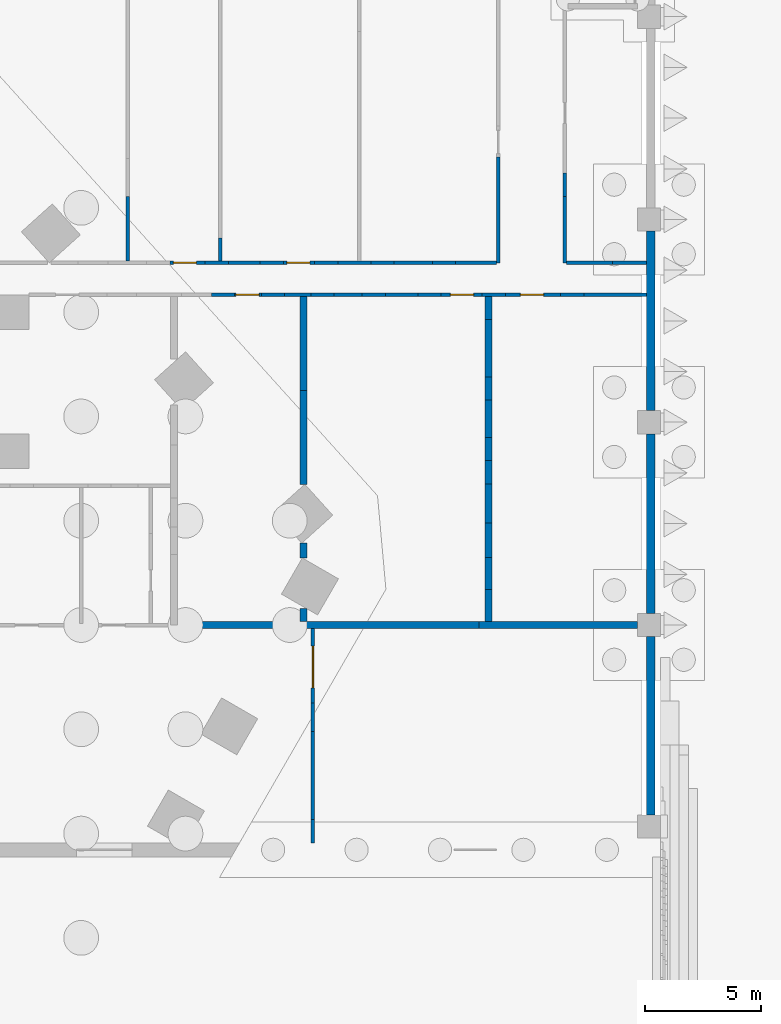
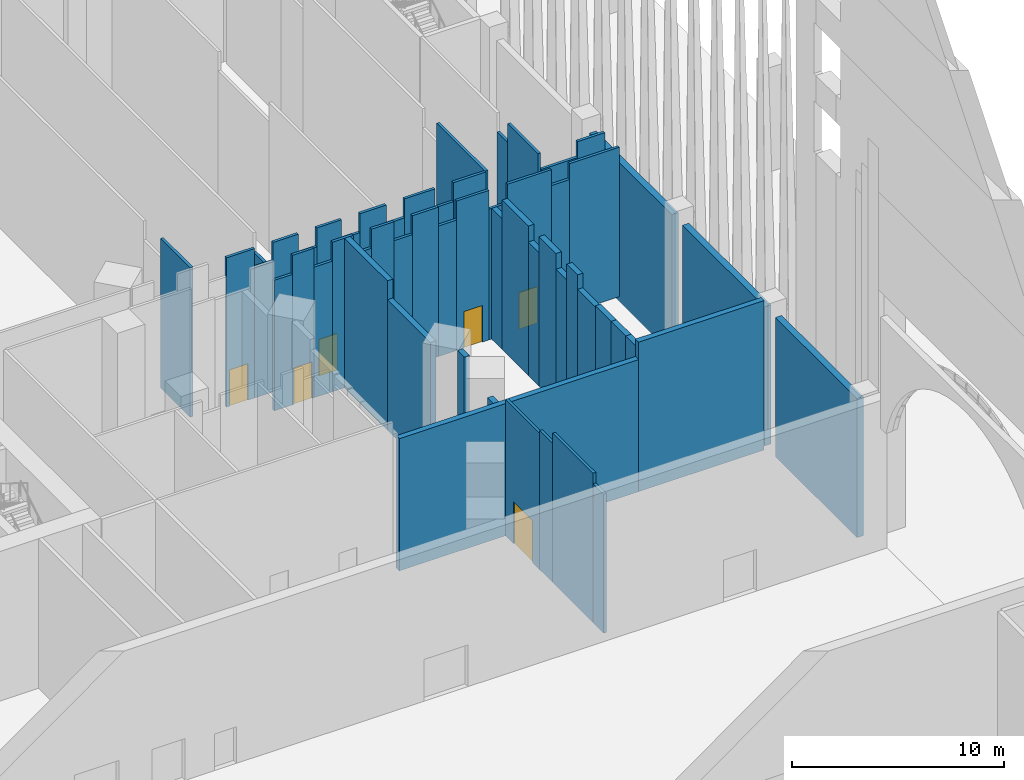
# One storey, part 13 of 32: 55 walls, 6 doors, 6 openings.
"""IFC4 building model written with IfcOpenShell, lengths in metres."""

from ifc_helpers import new_model, si_unit, direction, frame, frame_2d, origin, place, context, subcontext, project, spatial, rectangle, extrude, material, layer, layer_set, type_object, element, fill, save


model = new_model("IFC4")

# Units and contexts
model_context = context("Model", 3, precision=1e-05, world=origin(), true_north=direction((0.0, 1.0)))
body_context = subcontext(model_context, "Body", "Model", "MODEL_VIEW")
ifc_project = project(units=[si_unit("LENGTHUNIT", "METRE"), si_unit("AREAUNIT", "SQUARE_METRE"), si_unit("VOLUMEUNIT", "CUBIC_METRE"), si_unit("PLANEANGLEUNIT", "RADIAN"), si_unit("MASSUNIT", "GRAM", prefix="KILO")], contexts=[model_context])

# Site, building, storey
site_placement = place(None, origin())
site = spatial("IfcSite", under=ifc_project, at=site_placement, CompositionType="ELEMENT")
building_placement = place(site_placement, origin())
building = spatial("IfcBuilding", under=site, at=building_placement, Name="Isthmus Gate Tower", CompositionType="ELEMENT")
storey_placement = place(building_placement, origin())
storey = spatial("IfcBuildingStorey", under=building, at=storey_placement, Name="L00", CompositionType="ELEMENT", Elevation=0.0)

# Walls
ifc_material_1 = material(Name="Double-leaf gypsum board with mineral wool, resilient mounted")
ifc_layer_1 = layer(ifc_material_1, 0.300048828125)
ifc_layer_set_1 = layer_set([ifc_layer_1], Name="Acoustic studio wall 300 double leaf")
wall_type_1 = type_object("IfcWallType", Name="Acoustic studio wall 300 double leaf", PredefinedType="PARTITIONING", material=ifc_layer_set_1)
wall_1_placement = place(storey_placement, frame((31.14990234375, 0.0, 0.0), z_axis=(0.0, 0.0, 1.0), x_axis=(1.0, 0.0, 0.0)))
element("IfcWall", 1, at=wall_1_placement, inside=storey, type_object=wall_type_1, Name="Acoustic studio wall", PredefinedType="PARTITIONING", context=body_context, shape_type="SweptSolid", body=[
    extrude(rectangle(XDim=13.015625, YDim=0.300048828125, at=frame_2d((6.5078125, 0.0))), origin(), (0.0, 0.0, 1.0), 7.60009765625),
])
wall_2_placement = place(storey_placement, frame((44.16552734375, 0.0, 0.0), z_axis=(0.0, 0.0, 1.0), x_axis=(1.0, 0.0, 0.0)))
element("IfcWall", 2, at=wall_2_placement, inside=storey, type_object=wall_type_1, Name="Acoustic studio wall", PredefinedType="PARTITIONING", context=body_context, shape_type="SweptSolid", body=[
    extrude(rectangle(XDim=6.83447265625, YDim=0.300048828125, at=frame_2d((3.417236328125, 0.0))), origin(), (0.0, 0.0, 1.0), 8.60009765625),
])
wall_3_placement = place(storey_placement, frame((36.583984375, 0.14990234375, 0.0), z_axis=(0.0, 0.0, 1.0), x_axis=(0.0, 1.0, 0.0)))
element("IfcWall", 3, at=wall_3_placement, inside=storey, type_object=wall_type_1, Name="Acoustic studio wall", PredefinedType="PARTITIONING", context=body_context, shape_type="SweptSolid", body=[
    extrude(rectangle(XDim=0.5537109375, YDim=0.300048828125, at=frame_2d((0.27685546875, 0.0))), origin(), (0.0, 0.0, 1.0), 7.60009765625),
])
wall_4_placement = place(storey_placement, frame((36.583984375, 2.892578125, 0.0), z_axis=(0.0, 0.0, 1.0), x_axis=(0.0, 1.0, 0.0)))
element("IfcWall", 4, at=wall_4_placement, inside=storey, type_object=wall_type_1, Name="Acoustic studio wall", PredefinedType="PARTITIONING", context=body_context, shape_type="SweptSolid", body=[
    extrude(rectangle(XDim=0.639404296875, YDim=0.300048828125, at=frame_2d((0.31982421875, 0.0))), origin(), (0.0, 0.0, 1.0), 8.60009765625),
])
wall_5_placement = place(storey_placement, frame((36.583984375, 6.073974609375, 0.0), z_axis=(0.0, 0.0, 1.0), x_axis=(0.0, 1.0, 0.0)))
element("IfcWall", 5, at=wall_5_placement, inside=storey, type_object=wall_type_1, Name="Acoustic studio wall", PredefinedType="PARTITIONING", context=body_context, shape_type="SweptSolid", body=[
    extrude(rectangle(XDim=4.055419921875, YDim=0.300048828125, at=frame_2d((2.02783203125, 0.0))), origin(), (0.0, 0.0, 1.0), 7.510986328125),
])
wall_6_placement = place(storey_placement, frame((36.583984375, 10.12939453125, 0.0), z_axis=(0.0, 0.0, 1.0), x_axis=(0.0, 1.0, 0.0)))
element("IfcWall", 6, at=wall_6_placement, inside=storey, type_object=wall_type_1, Name="Acoustic studio wall", PredefinedType="PARTITIONING", context=body_context, shape_type="SweptSolid", body=[
    extrude(rectangle(XDim=4.045654296875, YDim=0.300048828125, at=frame_2d((2.02294921875, 0.0))), origin(), (0.0, 0.0, 1.0), 8.60009765625),
])
wall_7_placement = place(storey_placement, frame((44.583984375, 0.14990234375, 0.0), z_axis=(0.0, 0.0, 1.0), x_axis=(0.0, 1.0, 0.0)))
element("IfcWall", 7, at=wall_7_placement, inside=storey, type_object=wall_type_1, Name="Acoustic studio wall", PredefinedType="PARTITIONING", context=body_context, shape_type="SweptSolid", body=[
    extrude(rectangle(XDim=1.38134765625, YDim=0.300048828125, at=frame_2d((0.690673828125, 0.0))), origin(), (0.0, 0.0, 1.0), 7.84130859375),
])
wall_8_placement = place(storey_placement, frame((44.583984375, 1.53125, 0.0), z_axis=(0.0, 0.0, 1.0), x_axis=(0.0, 1.0, 0.0)))
element("IfcWall", 8, at=wall_8_placement, inside=storey, type_object=wall_type_1, Name="Acoustic studio wall", PredefinedType="PARTITIONING", context=body_context, shape_type="SweptSolid", body=[
    extrude(rectangle(XDim=1.3798828125, YDim=0.300048828125, at=frame_2d((0.68994140625, 0.0))), origin(), (0.0, 0.0, 1.0), 7.84130859375),
])
wall_9_placement = place(storey_placement, frame((44.583984375, 2.9111328125, 0.0), z_axis=(0.0, 0.0, 1.0), x_axis=(0.0, 1.0, 0.0)))
element("IfcWall", 9, at=wall_9_placement, inside=storey, type_object=wall_type_1, Name="Acoustic studio wall", PredefinedType="PARTITIONING", context=body_context, shape_type="SweptSolid", body=[
    extrude(rectangle(XDim=1.483154296875, YDim=0.300048828125, at=frame_2d((0.74169921875, 0.0))), origin(), (0.0, 0.0, 1.0), 7.84130859375),
])
wall_10_placement = place(storey_placement, frame((44.583984375, 4.394287109375, 0.0), z_axis=(0.0, 0.0, 1.0), x_axis=(0.0, 1.0, 0.0)))
element("IfcWall", 10, at=wall_10_placement, inside=storey, type_object=wall_type_1, Name="Acoustic studio wall", PredefinedType="PARTITIONING", context=body_context, shape_type="SweptSolid", body=[
    extrude(rectangle(XDim=1.680419921875, YDim=0.300048828125, at=frame_2d((0.84033203125, 0.0))), origin(), (0.0, 0.0, 1.0), 7.764892578125),
])
wall_11_placement = place(storey_placement, frame((44.583984375, 6.07470703125, 0.0), z_axis=(0.0, 0.0, 1.0), x_axis=(0.0, 1.0, 0.0)))
element("IfcWall", 11, at=wall_11_placement, inside=storey, type_object=wall_type_1, Name="Acoustic studio wall", PredefinedType="PARTITIONING", context=body_context, shape_type="SweptSolid", body=[
    extrude(rectangle(XDim=1.02001953125, YDim=0.300048828125, at=frame_2d((0.510009765625, 0.0))), origin(), (0.0, 0.0, 1.0), 8.60009765625),
])
wall_12_placement = place(storey_placement, frame((44.583984375, 7.0947265625, 0.0), z_axis=(0.0, 0.0, 1.0), x_axis=(0.0, 1.0, 0.0)))
element("IfcWall", 12, at=wall_12_placement, inside=storey, type_object=wall_type_1, Name="Acoustic studio wall", PredefinedType="PARTITIONING", context=body_context, shape_type="SweptSolid", body=[
    extrude(rectangle(XDim=1.0, YDim=0.300048828125, at=frame_2d((0.5, 0.0))), origin(), (0.0, 0.0, 1.0), 7.6982421875),
])
wall_13_placement = place(storey_placement, frame((44.583984375, 8.0947265625, 0.0), z_axis=(0.0, 0.0, 1.0), x_axis=(0.0, 1.0, 0.0)))
element("IfcWall", 13, at=wall_13_placement, inside=storey, type_object=wall_type_1, Name="Acoustic studio wall", PredefinedType="PARTITIONING", context=body_context, shape_type="SweptSolid", body=[
    extrude(rectangle(XDim=1.60986328125, YDim=0.300048828125, at=frame_2d((0.804931640625, 0.0))), origin(), (0.0, 0.0, 1.0), 8.60009765625),
])
wall_14_placement = place(storey_placement, frame((44.583984375, 9.70458984375, 0.0), z_axis=(0.0, 0.0, 1.0), x_axis=(0.0, 1.0, 0.0)))
element("IfcWall", 14, at=wall_14_placement, inside=storey, type_object=wall_type_1, Name="Acoustic studio wall", PredefinedType="PARTITIONING", context=body_context, shape_type="SweptSolid", body=[
    extrude(rectangle(XDim=1.0, YDim=0.300048828125, at=frame_2d((0.5, 0.0))), origin(), (0.0, 0.0, 1.0), 7.685546875),
])
wall_15_placement = place(storey_placement, frame((44.583984375, 10.70458984375, 0.0), z_axis=(0.0, 0.0, 1.0), x_axis=(0.0, 1.0, 0.0)))
element("IfcWall", 15, at=wall_15_placement, inside=storey, type_object=wall_type_1, Name="Acoustic studio wall", PredefinedType="PARTITIONING", context=body_context, shape_type="SweptSolid", body=[
    extrude(rectangle(XDim=2.470458984375, YDim=0.300048828125, at=frame_2d((1.2353515625, 0.0))), origin(), (0.0, 0.0, 1.0), 8.60009765625),
])
wall_16_placement = place(storey_placement, frame((44.583984375, 13.175048828125, 0.0), z_axis=(0.0, 0.0, 1.0), x_axis=(0.0, 1.0, 0.0)))
element("IfcWall", 16, at=wall_16_placement, inside=storey, type_object=wall_type_1, Name="Acoustic studio wall", PredefinedType="PARTITIONING", context=body_context, shape_type="SweptSolid", body=[
    extrude(rectangle(XDim=1.0, YDim=0.300048828125, at=frame_2d((0.5, 0.0))), origin(), (0.0, 0.0, 1.0), 7.510986328125),
])
ifc_material_2 = material(Name="Fire-rated gypsum board on steel studs", Category="steel")
ifc_layer_2 = layer(ifc_material_2, 0.14990234375)
ifc_layer_set_2 = layer_set([ifc_layer_2], Name="Fire-rated partition 150 EI 60")
wall_type_2 = type_object("IfcWallType", Name="Fire-rated partition 150 EI 60", PredefinedType="PARTITIONING", material=ifc_layer_set_2)
wall_17_placement = place(storey_placement, frame((45.0, 15.62939453125, 0.0), z_axis=(0.0, 0.0, 1.0), x_axis=(0.0, 1.0, 0.0)))
element("IfcWall", 17, at=wall_17_placement, inside=storey, type_object=wall_type_2, Name="Fire-rated partition", PredefinedType="PARTITIONING", context=body_context, shape_type="SweptSolid", body=[
    extrude(rectangle(XDim=4.559814453125, YDim=0.14990234375, at=frame_2d((2.27978515625, 0.0))), origin(), (0.0, 0.0, 1.0), 8.60009765625),
])
wall_18_placement = place(storey_placement, frame((47.875, 15.62939453125, 0.0), z_axis=(0.0, 0.0, 1.0), x_axis=(0.0, 1.0, 0.0)))
element("IfcWall", 18, at=wall_18_placement, inside=storey, type_object=wall_type_2, Name="Fire-rated partition", PredefinedType="PARTITIONING", context=body_context, shape_type="SweptSolid", body=[
    extrude(rectangle(XDim=2.85546875, YDim=0.14990234375, at=frame_2d((1.427734375, 0.0))), origin(), (0.0, 0.0, 1.0), 8.60009765625),
])
wall_19_placement = place(storey_placement, frame((47.875, 18.48486328125, 0.0), z_axis=(0.0, 0.0, 1.0), x_axis=(0.0, 1.0, 0.0)))
element("IfcWall", 19, at=wall_19_placement, inside=storey, type_object=wall_type_2, Name="Fire-rated partition", PredefinedType="PARTITIONING", context=body_context, shape_type="SweptSolid", body=[
    extrude(rectangle(XDim=1.01171875, YDim=0.14990234375, at=frame_2d((0.505859375, 0.0))), origin(), (0.0, 0.0, 1.0), 7.510986328125),
])
ifc_material_3 = material(Name="Precast concrete C40/50, limestone-faced", Category="masonry")
ifc_layer_3 = layer(ifc_material_3, 0.35009765625)
ifc_layer_set_3 = layer_set([ifc_layer_3], Name="PODIUM CLADDING WALL 350")
wall_type_3 = type_object("IfcWallType", Name="PODIUM CLADDING WALL 350", PredefinedType="SOLIDWALL", material=ifc_layer_set_3)
wall_20_placement = place(storey_placement, frame((51.574951171875, -8.199951171875, -0.300048828125), z_axis=(0.0, 0.0, 1.0), x_axis=(0.0, 1.0, 0.0)))
element("IfcWall", 20, at=wall_20_placement, inside=storey, type_object=wall_type_3, Name="PODIUM WALL", PredefinedType="SOLIDWALL", context=body_context, shape_type="SweptSolid", body=[
    extrude(rectangle(XDim=7.699951171875, YDim=0.35009765625, at=frame_2d((3.85009765625, 0.0))), origin(), (0.0, 0.0, 1.0), 8.0),
])
for number, where, z_axis, x_axis, name in (
    (21, (51.574951171875, 0.5, -0.300048828125), (0.0, 0.0, 1.0), (0.0, 1.0, 0.0), "PODIUM WALL"),
    (22, (51.574951171875, 9.25, -0.300048828125), (0.0, 0.0, 1.0), (0.0, 1.0, 0.0), "PODIUM WALL"),
):
    element("IfcWall", number, at=place(storey_placement, frame(where, z_axis=z_axis, x_axis=x_axis)), inside=storey, type_object=wall_type_3, Name=name, PredefinedType="SOLIDWALL", context=body_context, shape_type="SweptSolid", body=[
        extrude(rectangle(XDim=7.75, YDim=0.35009765625, at=frame_2d((3.875, 0.0))), origin(), (0.0, 0.0, 1.0), 8.0),
    ])
ifc_material_4 = material(Name="Gypsum board on cold-formed steel studs", Category="steel")
ifc_layer_4 = layer(ifc_material_4, 0.14990234375)
ifc_layer_set_4 = layer_set([ifc_layer_4])
wall_type_4 = type_object("IfcWallType", Name="Partition 150 gypsum board on steel studs", PredefinedType="PARTITIONING", material=ifc_layer_set_4)
wall_21_placement = place(storey_placement, frame((32.614013671875, 14.25, 0.0), z_axis=(0.0, 0.0, 1.0), x_axis=(1.0, 0.0, 0.0)))
element("IfcWall", 23, at=wall_21_placement, inside=storey, type_object=wall_type_4, Name="Partition", PredefinedType="PARTITIONING", context=body_context, shape_type="SweptSolid", body=[
    extrude(rectangle(XDim=1.0, YDim=0.14990234375, at=frame_2d((0.5, 0.0))), origin(), (0.0, 0.0, 1.0), 7.510986328125),
])

# Wall, opening, door
wall_22_placement = place(storey_placement, frame((33.614013671875, 14.25, 0.0), z_axis=(0.0, 0.0, 1.0), x_axis=(1.0, 0.0, 0.0)))
wall_22 = element("IfcWall", 24, at=wall_22_placement, inside=storey, type_object=wall_type_4, Name="Partition", PredefinedType="PARTITIONING", context=body_context, shape_type="SweptSolid", body=[
    extrude(rectangle(XDim=1.16162109375, YDim=0.14990234375, at=frame_2d((0.580810546875, 0.0))), origin(), (0.0, 0.0, 1.0), 8.60009765625),
])
opening_1_placement = place(wall_22_placement, frame((0.06005859375, 0.0, 0.0)))
opening_1 = element("IfcOpeningElement", 25, at=opening_1_placement, cuts=wall_22, Name="Opening DP00-26", PredefinedType="OPENING", context=body_context, shape_type="SweptSolid", body=[
    extrude(rectangle(XDim=1.0, YDim=2.10009765625, at=frame_2d((0.5, 1.050048828125))), frame((0.0, 0.0849609375, 0.0), z_axis=(0.0, -1.0, 0.0), x_axis=(1.0, 0.0, 0.0)), (0.0, 0.0, 1.0), 0.169921875),
])
ifc_material_5 = material(Name="Hollow metal frame with solid-core timber leaf", Category="wood")
door_type_1 = type_object("IfcDoorType", Name="Single swing door 1000 x 2100", OperationType="SINGLE_SWING_LEFT", PredefinedType="DOOR", material=ifc_material_5)
door_1_placement = place(opening_1_placement, origin())
door_1 = element("IfcDoor", 26, at=door_1_placement, inside=storey, type_object=door_type_1, Name="Door DP00-26", OperationType="SINGLE_SWING_LEFT", OverallHeight=2.10009765625, OverallWidth=1.0, PredefinedType="DOOR", context=body_context, shape_type="SweptSolid", body=[
    extrude(rectangle(XDim=1.0, YDim=2.10009765625, at=frame_2d((0.5, 1.050048828125))), frame((0.0, 0.02490234375, 0.0), z_axis=(0.0, -1.0, 0.0), x_axis=(1.0, 0.0, 0.0)), (0.0, 0.0, 1.0), 0.050048828125),
])
fill(opening_1, door_1)

# Walls
wall_23_placement = place(storey_placement, frame((34.775634765625, 14.25, 0.0), z_axis=(0.0, 0.0, 1.0), x_axis=(1.0, 0.0, 0.0)))
element("IfcWall", 27, at=wall_23_placement, inside=storey, type_object=wall_type_4, Name="Partition", PredefinedType="PARTITIONING", context=body_context, shape_type="SweptSolid", body=[
    extrude(rectangle(XDim=1.0, YDim=0.14990234375, at=frame_2d((0.5, 0.0))), origin(), (0.0, 0.0, 1.0), 7.510986328125),
])
wall_24_placement = place(storey_placement, frame((35.775634765625, 14.25, 0.0), z_axis=(0.0, 0.0, 1.0), x_axis=(1.0, 0.0, 0.0)))
element("IfcWall", 28, at=wall_24_placement, inside=storey, type_object=wall_type_4, Name="Partition", PredefinedType="PARTITIONING", context=body_context, shape_type="SweptSolid", body=[
    extrude(rectangle(XDim=1.136474609375, YDim=0.14990234375, at=frame_2d((0.568359375, 0.0))), origin(), (0.0, 0.0, 1.0), 8.60009765625),
])
wall_25_placement = place(storey_placement, frame((36.912109375, 14.25, 0.0), z_axis=(0.0, 0.0, 1.0), x_axis=(1.0, 0.0, 0.0)))
element("IfcWall", 29, at=wall_25_placement, inside=storey, type_object=wall_type_4, Name="Partition", PredefinedType="PARTITIONING", context=body_context, shape_type="SweptSolid", body=[
    extrude(rectangle(XDim=1.0, YDim=0.14990234375, at=frame_2d((0.5, 0.0))), origin(), (0.0, 0.0, 1.0), 7.510986328125),
])
wall_26_placement = place(storey_placement, frame((37.912109375, 14.25, 0.0), z_axis=(0.0, 0.0, 1.0), x_axis=(1.0, 0.0, 0.0)))
element("IfcWall", 30, at=wall_26_placement, inside=storey, type_object=wall_type_4, Name="Partition", PredefinedType="PARTITIONING", context=body_context, shape_type="SweptSolid", body=[
    extrude(rectangle(XDim=1.2138671875, YDim=0.14990234375, at=frame_2d((0.60693359375, 0.0))), origin(), (0.0, 0.0, 1.0), 8.60009765625),
])
wall_27_placement = place(storey_placement, frame((39.1259765625, 14.25, 0.0), z_axis=(0.0, 0.0, 1.0), x_axis=(1.0, 0.0, 0.0)))
element("IfcWall", 31, at=wall_27_placement, inside=storey, type_object=wall_type_4, Name="Partition", PredefinedType="PARTITIONING", context=body_context, shape_type="SweptSolid", body=[
    extrude(rectangle(XDim=1.0, YDim=0.14990234375, at=frame_2d((0.5, 0.0))), origin(), (0.0, 0.0, 1.0), 7.510986328125),
])
wall_28_placement = place(storey_placement, frame((40.1259765625, 14.25, 0.0), z_axis=(0.0, 0.0, 1.0), x_axis=(1.0, 0.0, 0.0)))
element("IfcWall", 32, at=wall_28_placement, inside=storey, type_object=wall_type_4, Name="Partition", PredefinedType="PARTITIONING", context=body_context, shape_type="SweptSolid", body=[
    extrude(rectangle(XDim=1.41015625, YDim=0.14990234375, at=frame_2d((0.705078125, 0.0))), origin(), (0.0, 0.0, 1.0), 8.60009765625),
])
wall_29_placement = place(storey_placement, frame((41.5361328125, 14.25, 0.0), z_axis=(0.0, 0.0, 1.0), x_axis=(1.0, 0.0, 0.0)))
element("IfcWall", 33, at=wall_29_placement, inside=storey, type_object=wall_type_4, Name="Partition", PredefinedType="PARTITIONING", context=body_context, shape_type="SweptSolid", body=[
    extrude(rectangle(XDim=1.0, YDim=0.14990234375, at=frame_2d((0.5, 0.0))), origin(), (0.0, 0.0, 1.0), 7.510986328125),
])

# Wall, opening, door
wall_30_placement = place(storey_placement, frame((42.5361328125, 14.25, 0.0), z_axis=(0.0, 0.0, 1.0), x_axis=(1.0, 0.0, 0.0)))
wall_30 = element("IfcWall", 34, at=wall_30_placement, inside=storey, type_object=wall_type_4, Name="Partition", PredefinedType="PARTITIONING", context=body_context, shape_type="SweptSolid", body=[
    extrude(rectangle(XDim=1.768798828125, YDim=0.14990234375, at=frame_2d((0.88427734375, 0.0))), origin(), (0.0, 0.0, 1.0), 8.60009765625),
])
opening_2_placement = place(wall_30_placement, frame((0.39990234375, 0.0, 0.0)))
opening_2 = element("IfcOpeningElement", 35, at=opening_2_placement, cuts=wall_30, Name="Opening DP00-27", PredefinedType="OPENING", context=body_context, shape_type="SweptSolid", body=[
    extrude(rectangle(XDim=1.0, YDim=2.10009765625, at=frame_2d((0.5, 1.050048828125))), frame((0.0, 0.0849609375, 0.0), z_axis=(0.0, -1.0, 0.0), x_axis=(1.0, 0.0, 0.0)), (0.0, 0.0, 1.0), 0.169921875),
])
door_2_placement = place(opening_2_placement, origin())
door_2 = element("IfcDoor", 36, at=door_2_placement, inside=storey, type_object=door_type_1, Name="Door DP00-27", OperationType="SINGLE_SWING_LEFT", OverallHeight=2.10009765625, OverallWidth=1.0, PredefinedType="DOOR", context=body_context, shape_type="SweptSolid", body=[
    extrude(rectangle(XDim=1.0, YDim=2.10009765625, at=frame_2d((0.5, 1.050048828125))), frame((0.0, 0.02490234375, 0.0), z_axis=(0.0, -1.0, 0.0), x_axis=(1.0, 0.0, 0.0)), (0.0, 0.0, 1.0), 0.050048828125),
])
fill(opening_2, door_2)

# Wall
wall_31_placement = place(storey_placement, frame((44.304931640625, 14.25, 0.0), z_axis=(0.0, 0.0, 1.0), x_axis=(1.0, 0.0, 0.0)))
element("IfcWall", 37, at=wall_31_placement, inside=storey, type_object=wall_type_4, Name="Partition", PredefinedType="PARTITIONING", context=body_context, shape_type="SweptSolid", body=[
    extrude(rectangle(XDim=1.0, YDim=0.14990234375, at=frame_2d((0.5, 0.0))), origin(), (0.0, 0.0, 1.0), 7.510986328125),
])

# Wall, opening, door
wall_32_placement = place(storey_placement, frame((45.304931640625, 14.25, 0.0), z_axis=(0.0, 0.0, 1.0), x_axis=(1.0, 0.0, 0.0)))
wall_32 = element("IfcWall", 38, at=wall_32_placement, inside=storey, type_object=wall_type_4, Name="Partition", PredefinedType="PARTITIONING", context=body_context, shape_type="SweptSolid", body=[
    extrude(rectangle(XDim=2.38427734375, YDim=0.14990234375, at=frame_2d((1.192138671875, 0.0))), origin(), (0.0, 0.0, 1.0), 8.60009765625),
])
opening_3_placement = place(wall_32_placement, frame((0.64990234375, 0.0, 0.0)))
opening_3 = element("IfcOpeningElement", 39, at=opening_3_placement, cuts=wall_32, Name="Opening DP00-28", PredefinedType="OPENING", context=body_context, shape_type="SweptSolid", body=[
    extrude(rectangle(XDim=1.0, YDim=2.10009765625, at=frame_2d((0.5, 1.050048828125))), frame((0.0, 0.0849609375, 0.0), z_axis=(0.0, -1.0, 0.0), x_axis=(1.0, 0.0, 0.0)), (0.0, 0.0, 1.0), 0.169921875),
])
door_3_placement = place(opening_3_placement, origin())
door_3 = element("IfcDoor", 40, at=door_3_placement, inside=storey, type_object=door_type_1, Name="Door DP00-28", OperationType="SINGLE_SWING_LEFT", OverallHeight=2.10009765625, OverallWidth=1.0, PredefinedType="DOOR", context=body_context, shape_type="SweptSolid", body=[
    extrude(rectangle(XDim=1.0, YDim=2.10009765625, at=frame_2d((0.5, 1.050048828125))), frame((0.0, 0.02490234375, 0.0), z_axis=(0.0, -1.0, 0.0), x_axis=(1.0, 0.0, 0.0)), (0.0, 0.0, 1.0), 0.050048828125),
])
fill(opening_3, door_3)

# Walls
wall_33_placement = place(storey_placement, frame((47.689208984375, 14.25, 0.0), z_axis=(0.0, 0.0, 1.0), x_axis=(1.0, 0.0, 0.0)))
element("IfcWall", 41, at=wall_33_placement, inside=storey, type_object=wall_type_4, Name="Partition", PredefinedType="PARTITIONING", context=body_context, shape_type="SweptSolid", body=[
    extrude(rectangle(XDim=1.0, YDim=0.14990234375, at=frame_2d((0.5, 0.0))), origin(), (0.0, 0.0, 1.0), 7.685546875),
])
wall_34_placement = place(storey_placement, frame((48.689208984375, 14.25, 0.0), z_axis=(0.0, 0.0, 1.0), x_axis=(1.0, 0.0, 0.0)))
element("IfcWall", 42, at=wall_34_placement, inside=storey, type_object=wall_type_4, Name="Partition", PredefinedType="PARTITIONING", context=body_context, shape_type="SweptSolid", body=[
    extrude(rectangle(XDim=2.710693359375, YDim=0.14990234375, at=frame_2d((1.35546875, 0.0))), origin(), (0.0, 0.0, 1.0), 8.60009765625),
])

# Wall, opening, door
wall_35_placement = place(storey_placement, frame((30.8232421875, 15.62890625, 0.0), z_axis=(0.0, 0.0, 1.0), x_axis=(1.0, 0.0, 0.0)))
wall_35 = element("IfcWall", 43, at=wall_35_placement, inside=storey, type_object=wall_type_4, Name="Partition", PredefinedType="PARTITIONING", context=body_context, shape_type="SweptSolid", body=[
    extrude(rectangle(XDim=1.523193359375, YDim=0.14990234375, at=frame_2d((0.76171875, 0.0))), origin(), (0.0, 0.0, 1.0), 8.60009765625),
])
opening_4_placement = place(wall_35_placement, frame((0.14990234375, 0.0, 0.0)))
opening_4 = element("IfcOpeningElement", 44, at=opening_4_placement, cuts=wall_35, Name="Opening DP00-35", PredefinedType="OPENING", context=body_context, shape_type="SweptSolid", body=[
    extrude(rectangle(XDim=1.0, YDim=2.10009765625, at=frame_2d((0.5, 1.050048828125))), frame((0.0, 0.0849609375, 0.0), z_axis=(0.0, -1.0, 0.0), x_axis=(1.0, 0.0, 0.0)), (0.0, 0.0, 1.0), 0.169921875),
])
door_4_placement = place(opening_4_placement, origin())
door_4 = element("IfcDoor", 45, at=door_4_placement, inside=storey, type_object=door_type_1, Name="Door DP00-35", OperationType="SINGLE_SWING_LEFT", OverallHeight=2.10009765625, OverallWidth=1.0, PredefinedType="DOOR", context=body_context, shape_type="SweptSolid", body=[
    extrude(rectangle(XDim=1.0, YDim=2.10009765625, at=frame_2d((0.5, 1.050048828125))), frame((0.0, 0.02490234375, 0.0), z_axis=(0.0, -1.0, 0.0), x_axis=(1.0, 0.0, 0.0)), (0.0, 0.0, 1.0), 0.050048828125),
])
fill(opening_4, door_4)

# Walls
wall_36_placement = place(storey_placement, frame((32.346435546875, 15.62890625, 0.0), z_axis=(0.0, 0.0, 1.0), x_axis=(1.0, 0.0, 0.0)))
element("IfcWall", 46, at=wall_36_placement, inside=storey, type_object=wall_type_4, Name="Partition", PredefinedType="PARTITIONING", context=body_context, shape_type="SweptSolid", body=[
    extrude(rectangle(XDim=1.0, YDim=0.14990234375, at=frame_2d((0.5, 0.0))), origin(), (0.0, 0.0, 1.0), 7.510986328125),
])
wall_37_placement = place(storey_placement, frame((33.346435546875, 15.62890625, 0.0), z_axis=(0.0, 0.0, 1.0), x_axis=(1.0, 0.0, 0.0)))
element("IfcWall", 47, at=wall_37_placement, inside=storey, type_object=wall_type_4, Name="Partition", PredefinedType="PARTITIONING", context=body_context, shape_type="SweptSolid", body=[
    extrude(rectangle(XDim=1.37646484375, YDim=0.14990234375, at=frame_2d((0.688232421875, 0.0))), origin(), (0.0, 0.0, 1.0), 8.60009765625),
])
wall_38_placement = place(storey_placement, frame((34.722900390625, 15.62890625, 0.0), z_axis=(0.0, 0.0, 1.0), x_axis=(1.0, 0.0, 0.0)))
element("IfcWall", 48, at=wall_38_placement, inside=storey, type_object=wall_type_4, Name="Partition", PredefinedType="PARTITIONING", context=body_context, shape_type="SweptSolid", body=[
    extrude(rectangle(XDim=1.0, YDim=0.14990234375, at=frame_2d((0.5, 0.0))), origin(), (0.0, 0.0, 1.0), 7.510986328125),
])

# Wall, opening, door
wall_39_placement = place(storey_placement, frame((35.722900390625, 15.62890625, 0.0), z_axis=(0.0, 0.0, 1.0), x_axis=(1.0, 0.0, 0.0)))
wall_39 = element("IfcWall", 49, at=wall_39_placement, inside=storey, type_object=wall_type_4, Name="Partition", PredefinedType="PARTITIONING", context=body_context, shape_type="SweptSolid", body=[
    extrude(rectangle(XDim=1.348388671875, YDim=0.14990234375, at=frame_2d((0.67431640625, 0.0))), origin(), (0.0, 0.0, 1.0), 8.60009765625),
])
opening_5_placement = place(wall_39_placement, frame((0.14990234375, 0.0, 0.0)))
opening_5 = element("IfcOpeningElement", 50, at=opening_5_placement, cuts=wall_39, Name="Opening DP00-36", PredefinedType="OPENING", context=body_context, shape_type="SweptSolid", body=[
    extrude(rectangle(XDim=1.0, YDim=2.10009765625, at=frame_2d((0.5, 1.050048828125))), frame((0.0, 0.0849609375, 0.0), z_axis=(0.0, -1.0, 0.0), x_axis=(1.0, 0.0, 0.0)), (0.0, 0.0, 1.0), 0.169921875),
])
door_5_placement = place(opening_5_placement, origin())
door_5 = element("IfcDoor", 51, at=door_5_placement, inside=storey, type_object=door_type_1, Name="Door DP00-36", OperationType="SINGLE_SWING_LEFT", OverallHeight=2.10009765625, OverallWidth=1.0, PredefinedType="DOOR", context=body_context, shape_type="SweptSolid", body=[
    extrude(rectangle(XDim=1.0, YDim=2.10009765625, at=frame_2d((0.5, 1.050048828125))), frame((0.0, 0.02490234375, 0.0), z_axis=(0.0, -1.0, 0.0), x_axis=(1.0, 0.0, 0.0)), (0.0, 0.0, 1.0), 0.050048828125),
])
fill(opening_5, door_5)

# Walls
wall_40_placement = place(storey_placement, frame((37.0712890625, 15.62890625, 0.0), z_axis=(0.0, 0.0, 1.0), x_axis=(1.0, 0.0, 0.0)))
element("IfcWall", 52, at=wall_40_placement, inside=storey, type_object=wall_type_4, Name="Partition", PredefinedType="PARTITIONING", context=body_context, shape_type="SweptSolid", body=[
    extrude(rectangle(XDim=1.0, YDim=0.14990234375, at=frame_2d((0.5, 0.0))), origin(), (0.0, 0.0, 1.0), 7.510986328125),
])
wall_41_placement = place(storey_placement, frame((38.0712890625, 15.62890625, 0.0), z_axis=(0.0, 0.0, 1.0), x_axis=(1.0, 0.0, 0.0)))
element("IfcWall", 53, at=wall_41_placement, inside=storey, type_object=wall_type_4, Name="Partition", PredefinedType="PARTITIONING", context=body_context, shape_type="SweptSolid", body=[
    extrude(rectangle(XDim=1.43359375, YDim=0.14990234375, at=frame_2d((0.716796875, 0.0))), origin(), (0.0, 0.0, 1.0), 8.60009765625),
])
wall_42_placement = place(storey_placement, frame((39.5048828125, 15.62890625, 0.0), z_axis=(0.0, 0.0, 1.0), x_axis=(1.0, 0.0, 0.0)))
element("IfcWall", 54, at=wall_42_placement, inside=storey, type_object=wall_type_4, Name="Partition", PredefinedType="PARTITIONING", context=body_context, shape_type="SweptSolid", body=[
    extrude(rectangle(XDim=1.0, YDim=0.14990234375, at=frame_2d((0.5, 0.0))), origin(), (0.0, 0.0, 1.0), 7.510986328125),
])
wall_43_placement = place(storey_placement, frame((40.5048828125, 15.62890625, 0.0), z_axis=(0.0, 0.0, 1.0), x_axis=(1.0, 0.0, 0.0)))
element("IfcWall", 55, at=wall_43_placement, inside=storey, type_object=wall_type_4, Name="Partition", PredefinedType="PARTITIONING", context=body_context, shape_type="SweptSolid", body=[
    extrude(rectangle(XDim=1.6494140625, YDim=0.14990234375, at=frame_2d((0.82470703125, 0.0))), origin(), (0.0, 0.0, 1.0), 8.60009765625),
])
wall_44_placement = place(storey_placement, frame((42.154296875, 15.62890625, 0.0), z_axis=(0.0, 0.0, 1.0), x_axis=(1.0, 0.0, 0.0)))
element("IfcWall", 56, at=wall_44_placement, inside=storey, type_object=wall_type_4, Name="Partition", PredefinedType="PARTITIONING", context=body_context, shape_type="SweptSolid", body=[
    extrude(rectangle(XDim=1.0, YDim=0.14990234375, at=frame_2d((0.5, 0.0))), origin(), (0.0, 0.0, 1.0), 7.510986328125),
])
wall_45_placement = place(storey_placement, frame((43.154296875, 15.62890625, 0.0), z_axis=(0.0, 0.0, 1.0), x_axis=(1.0, 0.0, 0.0)))
element("IfcWall", 57, at=wall_45_placement, inside=storey, type_object=wall_type_4, Name="Partition", PredefinedType="PARTITIONING", context=body_context, shape_type="SweptSolid", body=[
    extrude(rectangle(XDim=1.770751953125, YDim=0.14990234375, at=frame_2d((0.88525390625, 0.0))), origin(), (0.0, 0.0, 1.0), 8.60009765625),
])
wall_46_placement = place(storey_placement, frame((47.949951171875, 15.62890625, 0.0), z_axis=(0.0, 0.0, 1.0), x_axis=(1.0, 0.0, 0.0)))
element("IfcWall", 58, at=wall_46_placement, inside=storey, type_object=wall_type_4, Name="Partition", PredefinedType="PARTITIONING", context=body_context, shape_type="SweptSolid", body=[
    extrude(rectangle(XDim=1.96826171875, YDim=0.14990234375, at=frame_2d((0.984130859375, 0.0))), origin(), (0.0, 0.0, 1.0), 7.685546875),
])
wall_47_placement = place(storey_placement, frame((49.918212890625, 15.62890625, 0.0), z_axis=(0.0, 0.0, 1.0), x_axis=(1.0, 0.0, 0.0)))
element("IfcWall", 59, at=wall_47_placement, inside=storey, type_object=wall_type_4, Name="Partition", PredefinedType="PARTITIONING", context=body_context, shape_type="SweptSolid", body=[
    extrude(rectangle(XDim=1.481689453125, YDim=0.14990234375, at=frame_2d((0.74072265625, 0.0))), origin(), (0.0, 0.0, 1.0), 8.60009765625),
])
wall_48_placement = place(storey_placement, frame((29.0, 15.7041015625, 0.0), z_axis=(0.0, 0.0, 1.0), x_axis=(0.0, 1.0, 0.0)))
element("IfcWall", 60, at=wall_48_placement, inside=storey, type_object=wall_type_4, Name="Partition", PredefinedType="PARTITIONING", context=body_context, shape_type="SweptSolid", body=[
    extrude(rectangle(XDim=2.7958984375, YDim=0.14990234375, at=frame_2d((1.39794921875, 0.0))), origin(), (0.0, 0.0, 1.0), 8.60009765625),
])
wall_49_placement = place(storey_placement, frame((33.0, 15.7041015625, 0.0), z_axis=(0.0, 0.0, 1.0), x_axis=(0.0, 1.0, 0.0)))
element("IfcWall", 61, at=wall_49_placement, inside=storey, type_object=wall_type_4, Name="Partition", PredefinedType="PARTITIONING", context=body_context, shape_type="SweptSolid", body=[
    extrude(rectangle(XDim=1.0, YDim=0.14990234375, at=frame_2d((0.5, 0.0))), origin(), (0.0, 0.0, 1.0), 7.510986328125),
])
wall_50_placement = place(storey_placement, frame((37.0, -9.39990234375, 0.0), z_axis=(0.0, 0.0, 1.0), x_axis=(0.0, 1.0, 0.0)))
element("IfcWall", 62, at=wall_50_placement, inside=storey, type_object=wall_type_4, Name="Partition", PredefinedType="PARTITIONING", context=body_context, shape_type="SweptSolid", body=[
    extrude(rectangle(XDim=1.0, YDim=0.14990234375, at=frame_2d((0.5, 0.0))), origin(), (0.0, 0.0, 1.0), 8.0),
])
wall_51_placement = place(storey_placement, frame((37.0, -8.39990234375, 0.0), z_axis=(0.0, 0.0, 1.0), x_axis=(0.0, 1.0, 0.0)))
element("IfcWall", 63, at=wall_51_placement, inside=storey, type_object=wall_type_4, Name="Partition", PredefinedType="PARTITIONING", context=body_context, shape_type="SweptSolid", body=[
    extrude(rectangle(XDim=3.802001953125, YDim=0.14990234375, at=frame_2d((1.90087890625, 0.0))), origin(), (0.0, 0.0, 1.0), 8.60009765625),
])
wall_52_placement = place(storey_placement, frame((37.0, -4.597900390625, 0.0), z_axis=(0.0, 0.0, 1.0), x_axis=(0.0, 1.0, 0.0)))
element("IfcWall", 64, at=wall_52_placement, inside=storey, type_object=wall_type_4, Name="Partition", PredefinedType="PARTITIONING", context=body_context, shape_type="SweptSolid", body=[
    extrude(rectangle(XDim=1.237060546875, YDim=0.14990234375, at=frame_2d((0.61865234375, 0.0))), origin(), (0.0, 0.0, 1.0), 8.0),
])

# Wall, opening, door
wall_53_placement = place(storey_placement, frame((37.0, -3.36083984375, 0.0), z_axis=(0.0, 0.0, 1.0), x_axis=(0.0, 1.0, 0.0)))
wall_53 = element("IfcWall", 65, at=wall_53_placement, inside=storey, type_object=wall_type_4, Name="Partition", PredefinedType="PARTITIONING", context=body_context, shape_type="SweptSolid", body=[
    extrude(rectangle(XDim=3.2109375, YDim=0.14990234375, at=frame_2d((1.60546875, 0.0))), origin(), (0.0, 0.0, 1.0), 7.84130859375),
])
opening_6_placement = place(wall_53_placement, frame((0.64990234375, 0.0, 0.0)))
opening_6 = element("IfcOpeningElement", 66, at=opening_6_placement, cuts=wall_53, Name="Opening DP00-16", PredefinedType="OPENING", context=body_context, shape_type="SweptSolid", body=[
    extrude(rectangle(XDim=1.800048828125, YDim=2.39990234375, at=frame_2d((0.89990234375, 1.199951171875))), frame((0.0, 0.0849609375, 0.0), z_axis=(0.0, -1.0, 0.0), x_axis=(1.0, 0.0, 0.0)), (0.0, 0.0, 1.0), 0.169921875),
])
ifc_material_6 = material(Name="Hollow metal frame with solid-core timber leaves", Category="wood")
door_type_2 = type_object("IfcDoorType", Name="Double swing door 1800 x 2400", OperationType="DOUBLE_DOOR_SINGLE_SWING", PredefinedType="DOOR", material=ifc_material_6)
door_6_placement = place(opening_6_placement, origin())
door_6 = element("IfcDoor", 67, at=door_6_placement, inside=storey, type_object=door_type_2, Name="Door DP00-16", OperationType="SINGLE_SWING_LEFT", OverallHeight=2.39990234375, OverallWidth=1.800048828125, PredefinedType="DOOR", context=body_context, shape_type="SweptSolid", body=[
    extrude(rectangle(XDim=1.800048828125, YDim=2.39990234375, at=frame_2d((0.89990234375, 1.199951171875))), frame((0.0, 0.02490234375, 0.0), z_axis=(0.0, -1.0, 0.0), x_axis=(1.0, 0.0, 0.0)), (0.0, 0.0, 1.0), 0.050048828125),
])
fill(opening_6, door_6)

save(model, "model.ifc")
